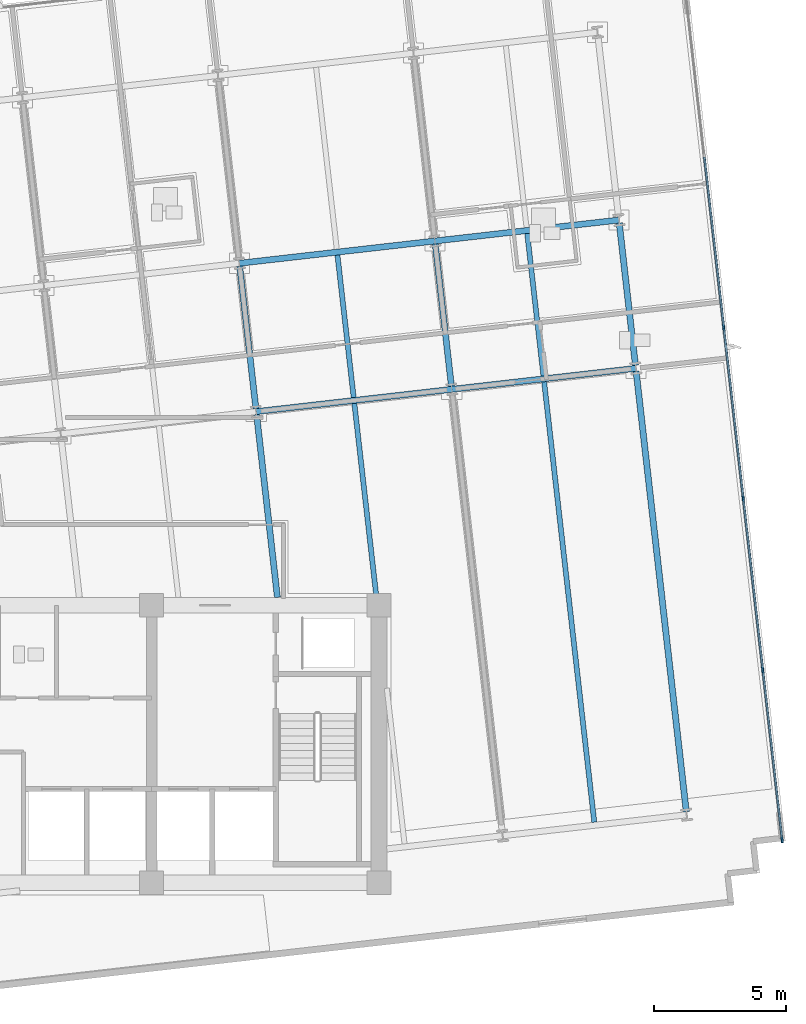
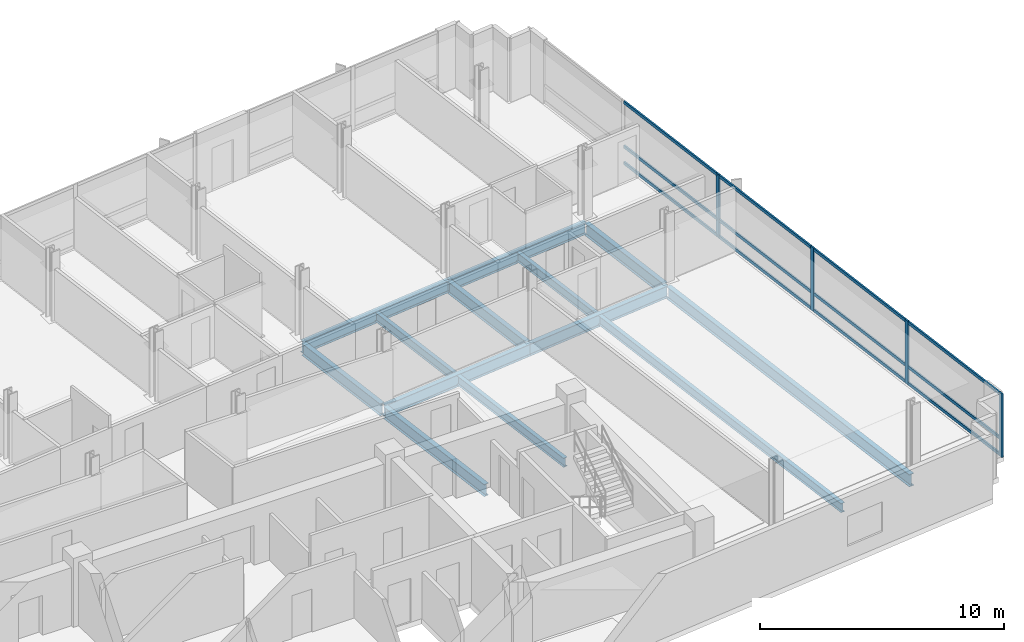
# One storey, part 4 of 16: 16 members, 13 beams, 1 element without a shape of its own.
"""IFC4 building model written with IfcOpenShell, lengths in metres."""

from ifc_helpers import new_model, si_unit, direction, frame, origin, origin_2d, place, context, subcontext, project, spatial, rectangle, i_section, extrude, material, material_profile, profile_set, type_object, element, aggregate, save


model = new_model("IFC4")

# Units and contexts
model_context = context("Model", 3, precision=1e-05, world=origin(), true_north=direction((0.0, 1.0)))
body_context = subcontext(model_context, "Body", "Model", "MODEL_VIEW")
ifc_project = project(units=[si_unit("LENGTHUNIT", "METRE"), si_unit("AREAUNIT", "SQUARE_METRE"), si_unit("VOLUMEUNIT", "CUBIC_METRE"), si_unit("PLANEANGLEUNIT", "RADIAN"), si_unit("MASSUNIT", "GRAM", prefix="KILO")], contexts=[model_context])

# Site, building, storey
site_placement = place(None, origin())
site = spatial("IfcSite", under=ifc_project, at=site_placement, CompositionType="ELEMENT")
building_placement = place(site_placement, origin())
building = spatial("IfcBuilding", under=site, at=building_placement, Name="Solmavex Isthmus Hotel", CompositionType="ELEMENT")
storey_placement = place(building_placement, frame((0.0, 0.0, 212.39990234375)))
storey = spatial("IfcBuildingStorey", under=building, at=storey_placement, Name="L57", CompositionType="ELEMENT", Elevation=212.39990234375)

# Beams
ifc_material_1 = material(Name="Steel ASTM A992 Grade 50", Category="steel")
ifc_material_profile_1 = material_profile(ifc_material_1, i_section(OverallWidth=0.1904296875, OverallDepth=0.456787109375, WebThickness=0.009033203125, FlangeThickness=0.014404296875, FilletRadius=0.0126953125, at=origin_2d()), Name="W18X50")
ifc_profile_set_1 = profile_set([ifc_material_profile_1], Name="Steel ASTM A992 Grade 50")
beam_type_1 = type_object("IfcBeamType", Name="BM-BJ-W18X50", PredefinedType="JOIST", material=ifc_profile_set_1)
beam_1_placement = place(storey_placement, frame((15.908447265625, -2.199951171875, -0.48828125), z_axis=(-0.113224925382, 0.99356938171, 0.0), x_axis=(-0.99356938171, -0.113224925382, 0.0)))
element("IfcBeam", 1, at=beam_1_placement, inside=storey, type_object=beam_type_1, Name="Secondary Floor Joist L57-J16", PredefinedType="JOIST", context=body_context, shape_type="SweptSolid", body=[
    extrude(i_section(OverallWidth=0.1904296875, OverallDepth=0.456787109375, WebThickness=0.009033203125, FlangeThickness=0.014404296875, FilletRadius=0.0126953125, at=origin_2d()), origin(), (0.0, 0.0, 1.0), 7.38525390625),
])
beam_2_placement = place(storey_placement, frame((15.046630859375, 5.364013671875, -0.48828125), z_axis=(-0.113189626161, 0.993573403695, 0.0), x_axis=(-0.993573403695, -0.113189626161, 0.0)))
element("IfcBeam", 2, at=beam_2_placement, inside=storey, type_object=beam_type_1, Name="Secondary Floor Joist L57-J17", PredefinedType="JOIST", context=body_context, shape_type="SweptSolid", body=[
    extrude(i_section(OverallWidth=0.1904296875, OverallDepth=0.456787109375, WebThickness=0.009033203125, FlangeThickness=0.014404296875, FilletRadius=0.0126953125, at=origin_2d()), origin(), (0.0, 0.0, 1.0), 5.42041015625),
])
beam_3_placement = place(storey_placement, frame((24.1513671875, -10.707275390625, -0.48828125), z_axis=(-0.113198426291, 0.993572401129, 0.0), x_axis=(-0.993572401129, -0.113198426291, 0.0)))
element("IfcBeam", 3, at=beam_3_placement, inside=storey, type_object=beam_type_1, Name="Secondary Floor Joist L57-J19", PredefinedType="JOIST", context=body_context, shape_type="SweptSolid", body=[
    extrude(i_section(OverallWidth=0.1904296875, OverallDepth=0.456787109375, WebThickness=0.009033203125, FlangeThickness=0.014404296875, FilletRadius=0.0126953125, at=origin_2d()), origin(), (0.0, 0.0, 1.0), 16.77099609375),
])
beam_4_placement = place(storey_placement, frame((22.22705078125, 6.18212890625, -0.48828125), z_axis=(-0.113189626161, 0.993573403695, 0.0), x_axis=(-0.993573403695, -0.113189626161, 0.0)))
element("IfcBeam", 4, at=beam_4_placement, inside=storey, type_object=beam_type_1, Name="Secondary Floor Joist L57-J20", PredefinedType="JOIST", context=body_context, shape_type="SweptSolid", body=[
    extrude(i_section(OverallWidth=0.1904296875, OverallDepth=0.456787109375, WebThickness=0.009033203125, FlangeThickness=0.014404296875, FilletRadius=0.0126953125, at=origin_2d()), origin(), (0.0, 0.0, 1.0), 5.42041015625),
])
ifc_material_profile_2 = material_profile(ifc_material_1, i_section(OverallWidth=0.227783203125, OverallDepth=0.602783203125, WebThickness=0.010498046875, FlangeThickness=0.014892578125, FilletRadius=0.01513671875, at=origin_2d()), Name="W24X68")
ifc_profile_set_2 = profile_set([ifc_material_profile_2], Name="Steel ASTM A992 Grade 50")
beam_type_2 = type_object("IfcBeamType", Name="BM-BM-W24X68", PredefinedType="BEAM", material=ifc_profile_set_2)
beam_5_placement = place(storey_placement, frame((11.3603515625, 4.829345703125, -0.561279296875), z_axis=(0.9935703463, 0.113216460607, 0.0), x_axis=(-0.113216460607, 0.9935703463, 0.0)))
element("IfcBeam", 5, at=beam_5_placement, inside=storey, type_object=beam_type_2, Name="Floor Girder L57-UG10", PredefinedType="BEAM", context=body_context, shape_type="SweptSolid", body=[
    extrude(i_section(OverallWidth=0.227783203125, OverallDepth=0.602783203125, WebThickness=0.010498046875, FlangeThickness=0.014892578125, FilletRadius=0.01513671875, at=origin_2d()), origin(), (0.0, 0.0, 1.0), 7.446044921875),
])
beam_6_placement = place(storey_placement, frame((18.758544921875, 5.67236328125, -0.561279296875), z_axis=(0.99357359356, 0.113187959519, 0.0), x_axis=(-0.113187959519, 0.99357359356, 0.0)))
element("IfcBeam", 6, at=beam_6_placement, inside=storey, type_object=beam_type_2, Name="Floor Girder L57-UG11", PredefinedType="BEAM", context=body_context, shape_type="SweptSolid", body=[
    extrude(i_section(OverallWidth=0.227783203125, OverallDepth=0.602783203125, WebThickness=0.010498046875, FlangeThickness=0.014892578125, FilletRadius=0.01513671875, at=origin_2d()), origin(), (0.0, 0.0, 1.0), 7.0078125),
])
beam_7_placement = place(storey_placement, frame((10.720947265625, 10.441162109375, -0.561279296875), z_axis=(0.993574034044, 0.113184092846, 0.0), x_axis=(-0.113184092846, 0.993574034044, 0.0)))
element("IfcBeam", 7, at=beam_7_placement, inside=storey, type_object=beam_type_2, Name="Floor Girder L57-UG16", PredefinedType="BEAM", context=body_context, shape_type="SweptSolid", body=[
    extrude(i_section(OverallWidth=0.227783203125, OverallDepth=0.602783203125, WebThickness=0.010498046875, FlangeThickness=0.014892578125, FilletRadius=0.01513671875, at=origin_2d()), origin(), (0.0, 0.0, 1.0), 7.446044921875),
])
beam_8_placement = place(storey_placement, frame((18.119140625, 11.283935546875, -0.561279296875), z_axis=(0.993569675103, 0.113222350774, 0.0), x_axis=(-0.113222350774, 0.993569675103, 0.0)))
element("IfcBeam", 8, at=beam_8_placement, inside=storey, type_object=beam_type_2, Name="Floor Girder L57-UG17", PredefinedType="BEAM", context=body_context, shape_type="SweptSolid", body=[
    extrude(i_section(OverallWidth=0.227783203125, OverallDepth=0.602783203125, WebThickness=0.010498046875, FlangeThickness=0.014892578125, FilletRadius=0.01513671875, at=origin_2d()), origin(), (0.0, 0.0, 1.0), 7.008056640625),
])
beam_9_placement = place(storey_placement, frame((12.161376953125, -2.199951171875, -0.561279296875), z_axis=(-0.113214229187, 0.993570600566, 0.0), x_axis=(-0.993570600566, -0.113214229187, 0.0)))
element("IfcBeam", 9, at=beam_9_placement, inside=storey, type_object=beam_type_2, Name="Floor Beam L57-VG37", PredefinedType="BEAM", context=body_context, shape_type="SweptSolid", body=[
    extrude(i_section(OverallWidth=0.227783203125, OverallDepth=0.602783203125, WebThickness=0.010498046875, FlangeThickness=0.014892578125, FilletRadius=0.01513671875, at=origin_2d()), origin(), (0.0, 0.0, 1.0), 6.9609375),
])
beam_10_placement = place(storey_placement, frame((11.347412109375, 4.942626953125, -0.561279296875), z_axis=(-0.113194691868, 0.993572826587, 0.0), x_axis=(-0.993572826587, -0.113194691868, 0.0)))
element("IfcBeam", 10, at=beam_10_placement, inside=storey, type_object=beam_type_2, Name="Floor Beam L57-VG38", PredefinedType="BEAM", context=body_context, shape_type="SweptSolid", body=[
    extrude(i_section(OverallWidth=0.227783203125, OverallDepth=0.602783203125, WebThickness=0.010498046875, FlangeThickness=0.014892578125, FilletRadius=0.01513671875, at=origin_2d()), origin(), (0.0, 0.0, 1.0), 5.420166015625),
])
beam_11_placement = place(storey_placement, frame((18.74560546875, 5.785400390625, -0.561279296875), z_axis=(-0.113189626161, 0.993573403695, 0.0), x_axis=(-0.993573403695, -0.113189626161, 0.0)))
element("IfcBeam", 11, at=beam_11_placement, inside=storey, type_object=beam_type_2, Name="Floor Beam L57-VG41", PredefinedType="BEAM", context=body_context, shape_type="SweptSolid", body=[
    extrude(i_section(OverallWidth=0.227783203125, OverallDepth=0.602783203125, WebThickness=0.010498046875, FlangeThickness=0.014892578125, FilletRadius=0.01513671875, at=origin_2d()), origin(), (0.0, 0.0, 1.0), 5.42041015625),
])
ifc_material_profile_3 = material_profile(ifc_material_1, i_section(OverallWidth=0.230224609375, OverallDepth=0.617431640625, WebThickness=0.01318359375, FlangeThickness=0.022216796875, FilletRadius=0.01513671875, at=origin_2d()), Name="W24X94")
ifc_profile_set_3 = profile_set([ifc_material_profile_3], Name="Steel ASTM A992 Grade 50")
beam_type_3 = type_object("IfcBeamType", Name="BM-SP-W24X94", PredefinedType="SPANDREL", material=ifc_profile_set_3)
beam_12_placement = place(storey_placement, frame((27.6328125, -10.310546875, -0.568603515625), z_axis=(-0.113198426291, 0.993572401129, 0.0), x_axis=(-0.993572401129, -0.113198426291, 0.0)))
element("IfcBeam", 12, at=beam_12_placement, inside=storey, type_object=beam_type_3, Name="Floor Beam L57-VG43", PredefinedType="SPANDREL", context=body_context, shape_type="SweptSolid", body=[
    extrude(i_section(OverallWidth=0.230224609375, OverallDepth=0.617431640625, WebThickness=0.01318359375, FlangeThickness=0.022216796875, FilletRadius=0.01513671875, at=origin_2d()), origin(), (0.0, 0.0, 1.0), 16.77099609375),
])
beam_13_placement = place(storey_placement, frame((25.70849609375, 6.578857421875, -0.568603515625), z_axis=(-0.113194691868, 0.993572826587, 0.0), x_axis=(-0.993572826587, -0.113194691868, 0.0)))
element("IfcBeam", 13, at=beam_13_placement, inside=storey, type_object=beam_type_3, Name="Floor Beam L57-VG44", PredefinedType="SPANDREL", context=body_context, shape_type="SweptSolid", body=[
    extrude(i_section(OverallWidth=0.230224609375, OverallDepth=0.617431640625, WebThickness=0.01318359375, FlangeThickness=0.022216796875, FilletRadius=0.01513671875, at=origin_2d()), origin(), (0.0, 0.0, 1.0), 5.420166015625),
])

# Curtain wall, members
ifc_material_2 = material(Name="Aluminium alloy 6063-T6", Category="aluminium")
curtain_wall_type = type_object("IfcCurtainWallType", Name="CW-SYS-04", PredefinedType="NOTDEFINED", material=ifc_material_2)
curtain_wall_placement = place(storey_placement, origin())
curtain_wall = element("IfcCurtainWall", 14, at=curtain_wall_placement, inside=storey, type_object=curtain_wall_type, Name="Stick Curtain Wall CWL-L57-E1", PredefinedType="NOTDEFINED")
ifc_material_profile_4 = material_profile(ifc_material_2, rectangle(XDim=0.074951171875, YDim=0.199951171875, at=origin_2d()), Name="CWM-75X200")
ifc_profile_set_4 = profile_set([ifc_material_profile_4], Name="Aluminium alloy 6063-T6")
member_type_1 = type_object("IfcMemberType", Name="CW-SYS-04-MUL", PredefinedType="MULLION", material=ifc_profile_set_4)
member_1_placement = place(storey_placement, frame((31.2578125, -11.384765625, 0.0), z_axis=(0.0, 0.0, 1.0), x_axis=(-0.993571836648, -0.11320338078, 0.0)))
member_1 = element("IfcMember", 15, at=member_1_placement, type_object=member_type_1, Name="CW-04 mullion 1", PredefinedType="MULLION", context=body_context, shape_type="SweptSolid", body=[
    extrude(rectangle(XDim=0.074951171875, YDim=0.199951171875, at=origin_2d()), origin(), (0.0, 0.0, 1.0), 3.190185546875),
])
member_2_placement = place(storey_placement, frame((30.52392578125, -4.944091796875, 0.0), z_axis=(0.0, 0.0, 1.0), x_axis=(-0.993571836648, -0.11320338078, 0.0)))
member_2 = element("IfcMember", 16, at=member_2_placement, type_object=member_type_1, Name="CW-04 mullion 2", PredefinedType="MULLION", context=body_context, shape_type="SweptSolid", body=[
    extrude(rectangle(XDim=0.074951171875, YDim=0.199951171875, at=origin_2d()), origin(), (0.0, 0.0, 1.0), 3.190185546875),
])
member_3_placement = place(storey_placement, frame((29.785888671875, 1.533935546875, 0.0), z_axis=(0.0, 0.0, 1.0), x_axis=(-0.993571836648, -0.11320338078, 0.0)))
member_3 = element("IfcMember", 17, at=member_3_placement, type_object=member_type_1, Name="CW-04 mullion 3", PredefinedType="MULLION", context=body_context, shape_type="SweptSolid", body=[
    extrude(rectangle(XDim=0.074951171875, YDim=0.199951171875, at=origin_2d()), origin(), (0.0, 0.0, 1.0), 3.190185546875),
])
member_4_placement = place(storey_placement, frame((29.0478515625, 8.01220703125, 0.0), z_axis=(0.0, 0.0, 1.0), x_axis=(-0.993571836648, -0.11320338078, 0.0)))
member_4 = element("IfcMember", 18, at=member_4_placement, type_object=member_type_1, Name="CW-04 mullion 4", PredefinedType="MULLION", context=body_context, shape_type="SweptSolid", body=[
    extrude(rectangle(XDim=0.074951171875, YDim=0.199951171875, at=origin_2d()), origin(), (0.0, 0.0, 1.0), 3.190185546875),
])
ifc_material_profile_5 = material_profile(ifc_material_2, rectangle(XDim=0.074951171875, YDim=0.14990234375, at=origin_2d()), Name="CWT-75X150")
ifc_profile_set_5 = profile_set([ifc_material_profile_5], Name="Aluminium alloy 6063-T6")
member_type_2 = type_object("IfcMemberType", Name="CW-SYS-04-TRN", PredefinedType="USERDEFINED", material=ifc_profile_set_5)
member_5_placement = place(storey_placement, frame((31.253662109375, -11.34765625, 0.0751953125), z_axis=(-0.113199495412, 0.993572279323, 0.0), x_axis=(-0.993572279323, -0.113199495412, 0.0)))
member_5 = element("IfcMember", 19, at=member_5_placement, type_object=member_type_2, Name="CW-04 transom 1.1", ObjectType="TRANSOM", PredefinedType="USERDEFINED", context=body_context, shape_type="SweptSolid", body=[
    extrude(rectangle(XDim=0.074951171875, YDim=0.14990234375, at=origin_2d()), origin(), (0.0, 0.0, 1.0), 6.40771484375),
])
member_6_placement = place(storey_placement, frame((31.253662109375, -11.34765625, 0.900146484375), z_axis=(-0.113199495412, 0.993572279323, 0.0), x_axis=(-0.993572279323, -0.113199495412, 0.0)))
member_6 = element("IfcMember", 20, at=member_6_placement, type_object=member_type_2, Name="CW-04 transom 1.2", ObjectType="TRANSOM", PredefinedType="USERDEFINED", context=body_context, shape_type="SweptSolid", body=[
    extrude(rectangle(XDim=0.074951171875, YDim=0.14990234375, at=origin_2d()), origin(), (0.0, 0.0, 1.0), 6.40771484375),
])
member_7_placement = place(storey_placement, frame((31.253662109375, -11.34765625, 3.114990234375), z_axis=(-0.113199495412, 0.993572279323, 0.0), x_axis=(-0.993572279323, -0.113199495412, 0.0)))
member_7 = element("IfcMember", 21, at=member_7_placement, type_object=member_type_2, Name="CW-04 transom 1.3", ObjectType="TRANSOM", PredefinedType="USERDEFINED", context=body_context, shape_type="SweptSolid", body=[
    extrude(rectangle(XDim=0.074951171875, YDim=0.14990234375, at=origin_2d()), origin(), (0.0, 0.0, 1.0), 6.40771484375),
])
member_8_placement = place(storey_placement, frame((30.519775390625, -4.90673828125, 0.0751953125), z_axis=(-0.113225012477, 0.993569371785, 0.0), x_axis=(-0.993569371785, -0.113225012477, 0.0)))
member_8 = element("IfcMember", 22, at=member_8_placement, type_object=member_type_2, Name="CW-04 transom 2.1", ObjectType="TRANSOM", PredefinedType="USERDEFINED", context=body_context, shape_type="SweptSolid", body=[
    extrude(rectangle(XDim=0.074951171875, YDim=0.14990234375, at=origin_2d()), origin(), (0.0, 0.0, 1.0), 6.445068359375),
])
member_9_placement = place(storey_placement, frame((30.519775390625, -4.90673828125, 0.900146484375), z_axis=(-0.113225012477, 0.993569371785, 0.0), x_axis=(-0.993569371785, -0.113225012477, 0.0)))
member_9 = element("IfcMember", 23, at=member_9_placement, type_object=member_type_2, Name="CW-04 transom 2.2", ObjectType="TRANSOM", PredefinedType="USERDEFINED", context=body_context, shape_type="SweptSolid", body=[
    extrude(rectangle(XDim=0.074951171875, YDim=0.14990234375, at=origin_2d()), origin(), (0.0, 0.0, 1.0), 6.445068359375),
])
member_10_placement = place(storey_placement, frame((30.519775390625, -4.90673828125, 3.114990234375), z_axis=(-0.113225012477, 0.993569371785, 0.0), x_axis=(-0.993569371785, -0.113225012477, 0.0)))
member_10 = element("IfcMember", 24, at=member_10_placement, type_object=member_type_2, Name="CW-04 transom 2.3", ObjectType="TRANSOM", PredefinedType="USERDEFINED", context=body_context, shape_type="SweptSolid", body=[
    extrude(rectangle(XDim=0.074951171875, YDim=0.14990234375, at=origin_2d()), origin(), (0.0, 0.0, 1.0), 6.445068359375),
])
member_11_placement = place(storey_placement, frame((29.78173828125, 1.5712890625, 0.0751953125), z_axis=(-0.113225012477, 0.993569371785, 0.0), x_axis=(-0.993569371785, -0.113225012477, 0.0)))
member_11 = element("IfcMember", 25, at=member_11_placement, type_object=member_type_2, Name="CW-04 transom 3.1", ObjectType="TRANSOM", PredefinedType="USERDEFINED", context=body_context, shape_type="SweptSolid", body=[
    extrude(rectangle(XDim=0.074951171875, YDim=0.14990234375, at=origin_2d()), origin(), (0.0, 0.0, 1.0), 6.445068359375),
])
member_12_placement = place(storey_placement, frame((29.78173828125, 1.5712890625, 0.900146484375), z_axis=(-0.113225012477, 0.993569371785, 0.0), x_axis=(-0.993569371785, -0.113225012477, 0.0)))
member_12 = element("IfcMember", 26, at=member_12_placement, type_object=member_type_2, Name="CW-04 transom 3.2", ObjectType="TRANSOM", PredefinedType="USERDEFINED", context=body_context, shape_type="SweptSolid", body=[
    extrude(rectangle(XDim=0.074951171875, YDim=0.14990234375, at=origin_2d()), origin(), (0.0, 0.0, 1.0), 6.445068359375),
])
member_13_placement = place(storey_placement, frame((29.78173828125, 1.5712890625, 3.114990234375), z_axis=(-0.113225012477, 0.993569371785, 0.0), x_axis=(-0.993569371785, -0.113225012477, 0.0)))
member_13 = element("IfcMember", 27, at=member_13_placement, type_object=member_type_2, Name="CW-04 transom 3.3", ObjectType="TRANSOM", PredefinedType="USERDEFINED", context=body_context, shape_type="SweptSolid", body=[
    extrude(rectangle(XDim=0.074951171875, YDim=0.14990234375, at=origin_2d()), origin(), (0.0, 0.0, 1.0), 6.445068359375),
])
member_14_placement = place(storey_placement, frame((29.04345703125, 8.04931640625, 0.0751953125), z_axis=(-0.113187617296, 0.993573632546, 0.0), x_axis=(-0.993573632546, -0.113187617296, 0.0)))
member_14 = element("IfcMember", 28, at=member_14_placement, type_object=member_type_2, Name="CW-04 transom 4.1", ObjectType="TRANSOM", PredefinedType="USERDEFINED", context=body_context, shape_type="SweptSolid", body=[
    extrude(rectangle(XDim=0.074951171875, YDim=0.14990234375, at=origin_2d()), origin(), (0.0, 0.0, 1.0), 6.445068359375),
])
member_15_placement = place(storey_placement, frame((29.04345703125, 8.04931640625, 0.900146484375), z_axis=(-0.113187617296, 0.993573632546, 0.0), x_axis=(-0.993573632546, -0.113187617296, 0.0)))
member_15 = element("IfcMember", 29, at=member_15_placement, type_object=member_type_2, Name="CW-04 transom 4.2", ObjectType="TRANSOM", PredefinedType="USERDEFINED", context=body_context, shape_type="SweptSolid", body=[
    extrude(rectangle(XDim=0.074951171875, YDim=0.14990234375, at=origin_2d()), origin(), (0.0, 0.0, 1.0), 6.445068359375),
])
member_16_placement = place(storey_placement, frame((29.04345703125, 8.04931640625, 3.114990234375), z_axis=(-0.113187617296, 0.993573632546, 0.0), x_axis=(-0.993573632546, -0.113187617296, 0.0)))
member_16 = element("IfcMember", 30, at=member_16_placement, type_object=member_type_2, Name="CW-04 transom 4.3", ObjectType="TRANSOM", PredefinedType="USERDEFINED", context=body_context, shape_type="SweptSolid", body=[
    extrude(rectangle(XDim=0.074951171875, YDim=0.14990234375, at=origin_2d()), origin(), (0.0, 0.0, 1.0), 6.445068359375),
])
aggregate(curtain_wall, [member_1, member_2, member_3, member_4, member_5, member_6, member_7, member_8, member_9, member_10, member_11, member_12, member_13, member_14, member_15, member_16])

save(model, "model.ifc")
